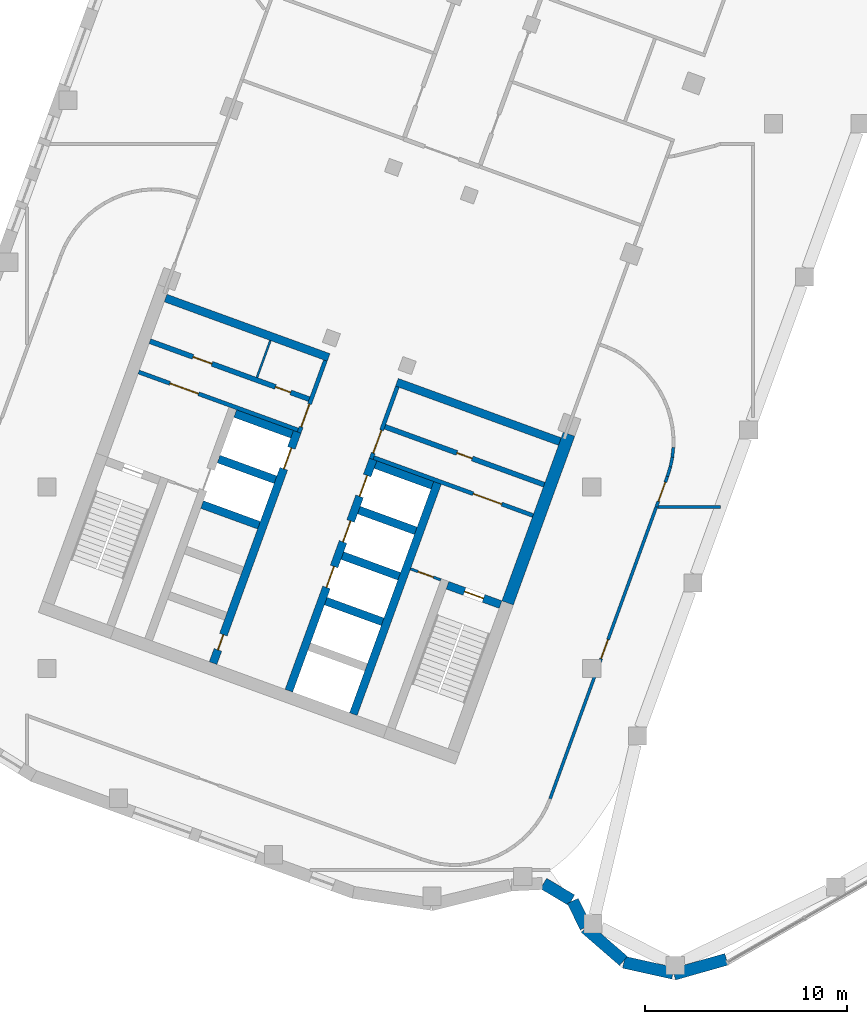
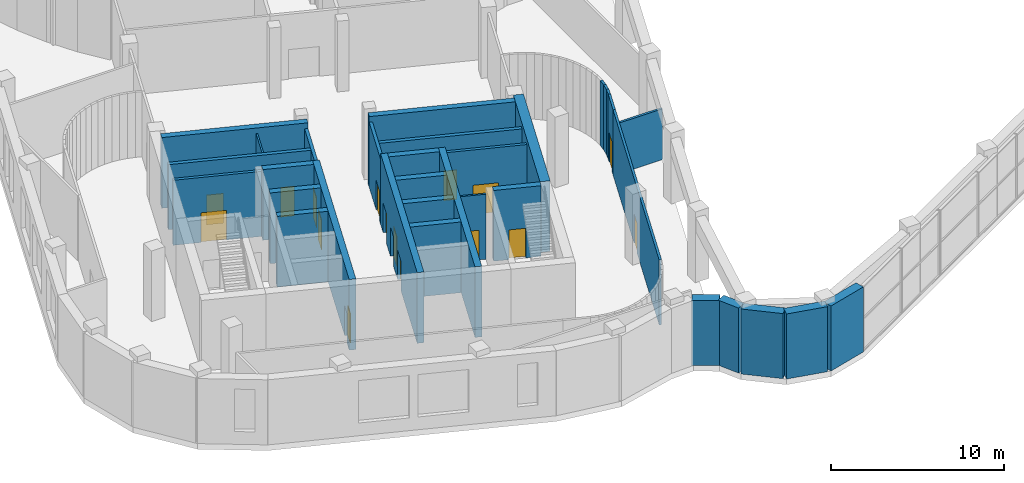
# One storey, part 11 of 25: 33 walls, 16 doors, 16 openings.
"""IFC4 building model written with IfcOpenShell, lengths in metres."""

from ifc_helpers import new_model, si_unit, direction, frame, frame_2d, origin, place, context, subcontext, project, spatial, rectangle, extrude, material, layer, layer_set, type_object, element, fill, save


model = new_model("IFC4")

# Units and contexts
model_context = context("Model", 3, precision=1e-05, world=origin(), true_north=direction((0.0, 1.0)))
body_context = subcontext(model_context, "Body", "Model", "MODEL_VIEW")
ifc_project = project(units=[si_unit("LENGTHUNIT", "METRE"), si_unit("AREAUNIT", "SQUARE_METRE"), si_unit("VOLUMEUNIT", "CUBIC_METRE"), si_unit("PLANEANGLEUNIT", "RADIAN"), si_unit("MASSUNIT", "GRAM", prefix="KILO")], contexts=[model_context])

# Site, building, storey
site_placement = place(None, origin())
site = spatial("IfcSite", under=ifc_project, at=site_placement, CompositionType="ELEMENT")
building_placement = place(site_placement, origin())
building = spatial("IfcBuilding", under=site, at=building_placement, Name="Skarvind Civic Tower", CompositionType="ELEMENT")
storey_placement = place(building_placement, frame((0.0, 0.0, 7.5)))
storey = spatial("IfcBuildingStorey", under=building, at=storey_placement, Name="L01", CompositionType="ELEMENT", Elevation=7.5)

# Wall, opening, door
ifc_material_1 = material(Name="Fire-rated masonry partition", Category="masonry")
ifc_layer_1 = layer(ifc_material_1, 0.199951171875)
ifc_layer_set_1 = layer_set([ifc_layer_1], Name="Core enclosure wall 200")
wall_type_1 = type_object("IfcWallType", Name="Core enclosure wall 200", PredefinedType="PARTITIONING", material=ifc_layer_set_1)
wall_1_placement = place(storey_placement, frame((31.491455078125, 93.693359375, 0.0), z_axis=(0.0, 0.0, 1.0), x_axis=(0.341995824804, 0.939701471648, 0.0)))
wall_1 = element("IfcWall", 1, at=wall_1_placement, inside=storey, type_object=wall_type_1, Name="Core wall C2", PredefinedType="PARTITIONING", context=body_context, shape_type="SweptSolid", body=[
    extrude(rectangle(XDim=3.800048828125, YDim=0.199951171875, at=frame_2d((1.89990234375, 0.0))), origin(), (0.0, 0.0, 1.0), 4.60009765625),
])
opening_1_placement = place(wall_1_placement, frame((0.300048828125, 0.0, 0.0)))
opening_1 = element("IfcOpeningElement", 2, at=opening_1_placement, cuts=wall_1, Name="Opening D-L01-C2-06", PredefinedType="OPENING", context=body_context, shape_type="SweptSolid", body=[
    extrude(rectangle(XDim=1.199951171875, YDim=2.10009765625, at=frame_2d((0.60009765625, 1.050048828125))), frame((0.0, 0.10986328125, 0.0), z_axis=(0.0, -1.0, 0.0), x_axis=(1.0, 0.0, 0.0)), (0.0, 0.0, 1.0), 0.219970703125),
])
ifc_material_2 = material(Name="Fire-rated steel door", Category="steel")
door_type_1 = type_object("IfcDoorType", Name="Core lobby door 1200", OperationType="NOTDEFINED", PredefinedType="DOOR", material=ifc_material_2)
door_1_placement = place(opening_1_placement, origin())
door_1 = element("IfcDoor", 3, at=door_1_placement, inside=storey, type_object=door_type_1, Name="Fire door", OperationType="DOUBLE_DOOR_SINGLE_SWING", OverallHeight=2.10009765625, OverallWidth=1.199951171875, PredefinedType="DOOR", context=body_context, shape_type="SweptSolid", body=[
    extrude(rectangle(XDim=1.199951171875, YDim=2.10009765625, at=frame_2d((0.60009765625, 1.050048828125))), frame((0.0, 0.02490234375, 0.0), z_axis=(0.0, -1.0, 0.0), x_axis=(1.0, 0.0, 0.0)), (0.0, 0.0, 1.0), 0.050048828125),
])
fill(opening_1, door_1)

wall_2_placement = place(storey_placement, frame((23.5380859375, 96.6943359375, 0.0), z_axis=(0.0, 0.0, 1.0), x_axis=(0.939691552312, -0.342023078919, 0.0)))
wall_2 = element("IfcWall", 4, at=wall_2_placement, inside=storey, type_object=wall_type_1, Name="Core wall C2", PredefinedType="PARTITIONING", context=body_context, shape_type="SweptSolid", body=[
    extrude(rectangle(XDim=8.400146484375, YDim=0.199951171875, at=frame_2d((4.2001953125, 0.0))), origin(), (0.0, 0.0, 1.0), 4.60009765625),
])
opening_2_placement = place(wall_2_placement, frame((1.64990234375, 0.0, 0.0)))
opening_2 = element("IfcOpeningElement", 5, at=opening_2_placement, cuts=wall_2, Name="Opening D-L01-C2-07", PredefinedType="OPENING", context=body_context, shape_type="SweptSolid", body=[
    extrude(rectangle(XDim=1.5, YDim=2.10009765625, at=frame_2d((0.75, 1.050048828125))), frame((0.0, 0.10986328125, 0.0), z_axis=(0.0, -1.0, 0.0), x_axis=(1.0, 0.0, 0.0)), (0.0, 0.0, 1.0), 0.219970703125),
])
door_type_2 = type_object("IfcDoorType", Name="Fire door 1500", OperationType="NOTDEFINED", PredefinedType="DOOR", material=ifc_material_2)
door_2_placement = place(opening_2_placement, origin())
door_2 = element("IfcDoor", 6, at=door_2_placement, inside=storey, type_object=door_type_2, Name="Fire door", OperationType="DOUBLE_DOOR_SINGLE_SWING", OverallHeight=2.10009765625, OverallWidth=1.5, PredefinedType="DOOR", context=body_context, shape_type="SweptSolid", body=[
    extrude(rectangle(XDim=1.5, YDim=2.10009765625, at=frame_2d((0.75, 1.050048828125))), frame((0.0, 0.02490234375, 0.0), z_axis=(0.0, -1.0, 0.0), x_axis=(1.0, 0.0, 0.0)), (0.0, 0.0, 1.0), 0.050048828125),
])
fill(opening_2, door_2)

wall_3_placement = place(storey_placement, frame((36.36181640625, 95.96435546875, 0.0), z_axis=(0.0, 0.0, 1.0), x_axis=(-0.341995824804, -0.939701471648, 0.0)))
wall_3 = element("IfcWall", 7, at=wall_3_placement, inside=storey, type_object=wall_type_1, Name="Core wall C2", PredefinedType="PARTITIONING", context=body_context, shape_type="SweptSolid", body=[
    extrude(rectangle(XDim=3.800048828125, YDim=0.199951171875, at=frame_2d((1.89990234375, 0.0))), origin(), (0.0, 0.0, 1.0), 4.60009765625),
])
opening_3_placement = place(wall_3_placement, frame((2.300048828125, 0.0, 0.0)))
opening_3 = element("IfcOpeningElement", 8, at=opening_3_placement, cuts=wall_3, Name="Opening D-L01-C2-12", PredefinedType="OPENING", context=body_context, shape_type="SweptSolid", body=[
    extrude(rectangle(XDim=1.199951171875, YDim=2.10009765625, at=frame_2d((0.60009765625, 1.050048828125))), frame((0.0, 0.10986328125, 0.0), z_axis=(0.0, -1.0, 0.0), x_axis=(1.0, 0.0, 0.0)), (0.0, 0.0, 1.0), 0.219970703125),
])
door_3_placement = place(opening_3_placement, origin())
door_3 = element("IfcDoor", 9, at=door_3_placement, inside=storey, type_object=door_type_1, Name="Fire door", OperationType="DOUBLE_DOOR_SINGLE_SWING", OverallHeight=2.10009765625, OverallWidth=1.199951171875, PredefinedType="DOOR", context=body_context, shape_type="SweptSolid", body=[
    extrude(rectangle(XDim=1.199951171875, YDim=2.10009765625, at=frame_2d((0.60009765625, 1.050048828125))), frame((0.0, 0.02490234375, 0.0), z_axis=(0.0, -1.0, 0.0), x_axis=(1.0, 0.0, 0.0)), (0.0, 0.0, 1.0), 0.050048828125),
])
fill(opening_3, door_3)

wall_4_placement = place(storey_placement, frame((35.1904296875, 92.453369140625, 0.0), z_axis=(0.0, 0.0, 1.0), x_axis=(0.939691552312, -0.342023078919, 0.0)))
wall_4 = element("IfcWall", 10, at=wall_4_placement, inside=storey, type_object=wall_type_1, Name="Core wall C2", PredefinedType="PARTITIONING", context=body_context, shape_type="SweptSolid", body=[
    extrude(rectangle(XDim=8.400146484375, YDim=0.199951171875, at=frame_2d((4.2001953125, 0.0))), origin(), (0.0, 0.0, 1.0), 4.60009765625),
])
opening_4_placement = place(wall_4_placement, frame((5.25, 0.0, 0.0)))
opening_4 = element("IfcOpeningElement", 11, at=opening_4_placement, cuts=wall_4, Name="Opening D-L01-C2-13", PredefinedType="OPENING", context=body_context, shape_type="SweptSolid", body=[
    extrude(rectangle(XDim=1.5, YDim=2.10009765625, at=frame_2d((0.75, 1.050048828125))), frame((0.0, 0.10986328125, 0.0), z_axis=(0.0, -1.0, 0.0), x_axis=(1.0, 0.0, 0.0)), (0.0, 0.0, 1.0), 0.219970703125),
])
door_4_placement = place(opening_4_placement, origin())
door_4 = element("IfcDoor", 12, at=door_4_placement, inside=storey, type_object=door_type_2, Name="Fire door", OperationType="DOUBLE_DOOR_SINGLE_SWING", OverallHeight=2.10009765625, OverallWidth=1.5, PredefinedType="DOOR", context=body_context, shape_type="SweptSolid", body=[
    extrude(rectangle(XDim=1.5, YDim=2.10009765625, at=frame_2d((0.75, 1.050048828125))), frame((0.0, 0.02490234375, 0.0), z_axis=(0.0, -1.0, 0.0), x_axis=(1.0, 0.0, 0.0)), (0.0, 0.0, 1.0), 0.050048828125),
])
fill(opening_4, door_4)

# Wall
ifc_material_3 = material(Name="Fire-rated plasterboard partition")
ifc_layer_2 = layer(ifc_material_3, 0.10009765625)
ifc_layer_set_2 = layer_set([ifc_layer_2], Name="Core partition wall 100")
wall_type_2 = type_object("IfcWallType", Name="Core partition wall 100", PredefinedType="PARTITIONING", material=ifc_layer_set_2)
wall_5_placement = place(storey_placement, frame((29.399169921875, 96.423583984375, 0.0), z_axis=(0.0, 0.0, 1.0), x_axis=(0.341913947243, 0.939731266204, 0.0)))
element("IfcWall", 13, at=wall_5_placement, inside=storey, type_object=wall_type_2, Name="Core wall C2", PredefinedType="PARTITIONING", context=body_context, shape_type="SweptSolid", body=[
    extrude(rectangle(XDim=1.949951171875, YDim=0.10009765625, at=frame_2d((0.97509765625, 0.0))), origin(), (0.0, 0.0, 1.0), 4.60009765625),
])

# Wall, opening, door
ifc_material_4 = material(Name="Concrete C80", Category="concrete")
ifc_layer_3 = layer(ifc_material_4, 0.39990234375)
ifc_layer_set_3 = layer_set([ifc_layer_3], Name="Core wall 400 C80")
wall_type_3 = type_object("IfcWallType", Name="Core wall 400 C80", PredefinedType="SHEAR", material=ifc_layer_set_3)
wall_6_placement = place(storey_placement, frame((41.476318359375, 85.163818359375, 0.0), z_axis=(0.0, 0.0, 1.0), x_axis=(-0.939678810556, 0.342058084236, 0.0)))
wall_6 = element("IfcWall", 14, at=wall_6_placement, inside=storey, type_object=wall_type_3, Name="Core wall C2 south stair end L01", PredefinedType="SHEAR", context=body_context, shape_type="SweptSolid", body=[
    extrude(rectangle(XDim=2.800048828125, YDim=0.39990234375, at=frame_2d((1.39990234375, 0.0))), origin(), (0.0, 0.0, 1.0), 5.0),
])
opening_5_placement = place(wall_6_placement, frame((0.89990234375, 0.0, 0.0)))
opening_5 = element("IfcOpeningElement", 15, at=opening_5_placement, cuts=wall_6, Name="Opening D-L01-C2-14", PredefinedType="OPENING", context=body_context, shape_type="SweptSolid", body=[
    extrude(rectangle(XDim=1.0, YDim=2.10009765625, at=frame_2d((0.5, 1.050048828125))), frame((0.0, 0.2099609375, 0.0), z_axis=(0.0, -1.0, 0.0), x_axis=(1.0, 0.0, 0.0)), (0.0, 0.0, 1.0), 0.419921875),
])
door_type_3 = type_object("IfcDoorType", Name="Fire door 1000", OperationType="NOTDEFINED", PredefinedType="DOOR", material=ifc_material_2)
door_5_placement = place(opening_5_placement, origin())
door_5 = element("IfcDoor", 16, at=door_5_placement, inside=storey, type_object=door_type_3, Name="Fire door", OperationType="SINGLE_SWING_RIGHT", OverallHeight=2.10009765625, OverallWidth=1.0, PredefinedType="DOOR", context=body_context, shape_type="SweptSolid", body=[
    extrude(rectangle(XDim=1.0, YDim=2.10009765625, at=frame_2d((0.5, 1.050048828125))), frame((0.0, 0.02490234375, 0.0), z_axis=(0.0, -1.0, 0.0), x_axis=(1.0, 0.0, 0.0)), (0.0, 0.0, 1.0), 0.050048828125),
])
fill(opening_5, door_5)

# Wall, openings, doors
wall_7_placement = place(storey_placement, frame((30.983642578125, 80.895263671875, 0.0), z_axis=(0.0, 0.0, 1.0), x_axis=(0.342021021735, 0.939692301071, 0.0)))
wall_7 = element("IfcWall", 17, at=wall_7_placement, inside=storey, type_object=wall_type_3, Name="Core wall C2 south lift row front L01", PredefinedType="SHEAR", context=body_context, shape_type="SweptSolid", body=[
    extrude(rectangle(XDim=12.199951171875, YDim=0.39990234375, at=frame_2d((6.10009765625, 0.0))), origin(), (0.0, 0.0, 1.0), 5.0),
])
opening_6_placement = place(wall_7_placement, frame((5.449951171875, 0.0, 0.0)))
opening_6 = element("IfcOpeningElement", 18, at=opening_6_placement, cuts=wall_7, Name="Opening LD03208", PredefinedType="OPENING", context=body_context, shape_type="SweptSolid", body=[
    extrude(rectangle(XDim=1.10009765625, YDim=2.10009765625, at=frame_2d((0.550048828125, 1.050048828125))), frame((0.0, 0.2099609375, 0.0), z_axis=(0.0, -1.0, 0.0), x_axis=(1.0, 0.0, 0.0)), (0.0, 0.0, 1.0), 0.419921875),
])
opening_7_placement = place(wall_7_placement, frame((7.85009765625, 0.0, 0.0)))
opening_7 = element("IfcOpeningElement", 19, at=opening_7_placement, cuts=wall_7, Name="Opening LD03209", PredefinedType="OPENING", context=body_context, shape_type="SweptSolid", body=[
    extrude(rectangle(XDim=1.10009765625, YDim=2.10009765625, at=frame_2d((0.550048828125, 1.050048828125))), frame((0.0, 0.2099609375, 0.0), z_axis=(0.0, -1.0, 0.0), x_axis=(1.0, 0.0, 0.0)), (0.0, 0.0, 1.0), 0.419921875),
])
opening_8_placement = place(wall_7_placement, frame((10.25, 0.0, 0.0)))
opening_8 = element("IfcOpeningElement", 20, at=opening_8_placement, cuts=wall_7, Name="Opening LD03210", PredefinedType="OPENING", context=body_context, shape_type="SweptSolid", body=[
    extrude(rectangle(XDim=1.10009765625, YDim=2.10009765625, at=frame_2d((0.550048828125, 1.050048828125))), frame((0.0, 0.2099609375, 0.0), z_axis=(0.0, -1.0, 0.0), x_axis=(1.0, 0.0, 0.0)), (0.0, 0.0, 1.0), 0.419921875),
])
ifc_material_5 = material(Name="Stainless steel landing door", Category="steel")
door_type_4 = type_object("IfcDoorType", Name="Lift landing door 1100", OperationType="DOUBLE_DOOR_SLIDING", PredefinedType="DOOR", material=ifc_material_5)
door_6_placement = place(opening_6_placement, origin())
door_6 = element("IfcDoor", 21, at=door_6_placement, inside=storey, type_object=door_type_4, Name="Lift landing door", OperationType="DOUBLE_DOOR_SLIDING", OverallHeight=2.10009765625, OverallWidth=1.10009765625, PredefinedType="DOOR", context=body_context, shape_type="SweptSolid", body=[
    extrude(rectangle(XDim=1.10009765625, YDim=2.10009765625, at=frame_2d((0.550048828125, 1.050048828125))), frame((0.0, 0.02490234375, 0.0), z_axis=(0.0, -1.0, 0.0), x_axis=(1.0, 0.0, 0.0)), (0.0, 0.0, 1.0), 0.050048828125),
])
fill(opening_6, door_6)
door_7_placement = place(opening_7_placement, origin())
door_7 = element("IfcDoor", 22, at=door_7_placement, inside=storey, type_object=door_type_4, Name="Lift landing door", OperationType="DOUBLE_DOOR_SLIDING", OverallHeight=2.10009765625, OverallWidth=1.10009765625, PredefinedType="DOOR", context=body_context, shape_type="SweptSolid", body=[
    extrude(rectangle(XDim=1.10009765625, YDim=2.10009765625, at=frame_2d((0.550048828125, 1.050048828125))), frame((0.0, 0.02490234375, 0.0), z_axis=(0.0, -1.0, 0.0), x_axis=(1.0, 0.0, 0.0)), (0.0, 0.0, 1.0), 0.050048828125),
])
fill(opening_7, door_7)
door_8_placement = place(opening_8_placement, origin())
door_8 = element("IfcDoor", 23, at=door_8_placement, inside=storey, type_object=door_type_4, Name="Lift landing door", OperationType="DOUBLE_DOOR_SLIDING", OverallHeight=2.10009765625, OverallWidth=1.10009765625, PredefinedType="DOOR", context=body_context, shape_type="SweptSolid", body=[
    extrude(rectangle(XDim=1.10009765625, YDim=2.10009765625, at=frame_2d((0.550048828125, 1.050048828125))), frame((0.0, 0.02490234375, 0.0), z_axis=(0.0, -1.0, 0.0), x_axis=(1.0, 0.0, 0.0)), (0.0, 0.0, 1.0), 0.050048828125),
])
fill(opening_8, door_8)

# Walls
wall_8_placement = place(storey_placement, frame((34.178466796875, 79.732177734375, 0.0), z_axis=(0.0, 0.0, 1.0), x_axis=(0.342014590177, 0.939694641948, 0.0)))
element("IfcWall", 24, at=wall_8_placement, inside=storey, type_object=wall_type_3, Name="Core wall C2 south lift row back L01", PredefinedType="SHEAR", context=body_context, shape_type="SweptSolid", body=[
    extrude(rectangle(XDim=12.2001953125, YDim=0.39990234375, at=frame_2d((6.10009765625, 0.0))), origin(), (0.0, 0.0, 1.0), 5.0),
])
for number, where, z_axis, x_axis, name in (
    (25, (35.63232421875, 84.311279296875, 0.0), (0.0, 0.0, 1.0), (-0.939712609717, 0.341965219194, 0.0), "Core wall C2 south lift row division 2 L01"),
    (26, (36.453125, 86.56640625, 0.0), (0.0, 0.0, 1.0), (-0.939686455819, 0.342037080957, 0.0), "Core wall C2 south lift row division 3 L01"),
    (27, (37.27392578125, 88.82177734375, 0.0), (0.0, 0.0, 1.0), (-0.939686455819, 0.342037080957, 0.0), "Core wall C2 south lift row division 4 L01"),
):
    element("IfcWall", number, at=place(storey_placement, frame(where, z_axis=z_axis, x_axis=x_axis)), inside=storey, type_object=wall_type_3, Name=name, PredefinedType="SHEAR", context=body_context, shape_type="SweptSolid", body=[
        extrude(rectangle(XDim=3.0, YDim=0.39990234375, at=frame_2d((1.5, 0.0))), origin(), (0.0, 0.0, 1.0), 5.0),
    ])
wall_9_placement = place(storey_placement, frame((38.0947265625, 91.076904296875, 0.0), z_axis=(0.0, 0.0, 1.0), x_axis=(-0.939676934218, 0.342063238742, 0.0)))
element("IfcWall", 28, at=wall_9_placement, inside=storey, type_object=wall_type_3, Name="Core wall C2 south lift row division 5 L01", PredefinedType="SHEAR", context=body_context, shape_type="SweptSolid", body=[
    extrude(rectangle(XDim=2.999755859375, YDim=0.39990234375, at=frame_2d((1.5, 0.0))), origin(), (0.0, 0.0, 1.0), 5.0),
])

# Wall, openings, doors
wall_10_placement = place(storey_placement, frame((27.224853515625, 82.26318359375, 0.0), z_axis=(0.0, 0.0, 1.0), x_axis=(0.342014590177, 0.939694641948, 0.0)))
wall_10 = element("IfcWall", 29, at=wall_10_placement, inside=storey, type_object=wall_type_3, Name="Core wall C2 north lift row front L01", PredefinedType="SHEAR", context=body_context, shape_type="SweptSolid", body=[
    extrude(rectangle(XDim=12.2001953125, YDim=0.39990234375, at=frame_2d((6.10009765625, 0.0))), origin(), (0.0, 0.0, 1.0), 5.0),
])
opening_9_placement = place(wall_10_placement, frame((10.25, 0.0, 0.0)))
opening_9 = element("IfcOpeningElement", 30, at=opening_9_placement, cuts=wall_10, Name="Opening LD03205", PredefinedType="OPENING", context=body_context, shape_type="SweptSolid", body=[
    extrude(rectangle(XDim=1.10009765625, YDim=2.10009765625, at=frame_2d((0.550048828125, 1.050048828125))), frame((0.0, 0.2099609375, 0.0), z_axis=(0.0, -1.0, 0.0), x_axis=(1.0, 0.0, 0.0)), (0.0, 0.0, 1.0), 0.419921875),
])
opening_10_placement = place(wall_10_placement, frame((0.699951171875, 0.0, 0.0)))
opening_10 = element("IfcOpeningElement", 31, at=opening_10_placement, cuts=wall_10, Name="Opening D-L01-C2-05", PredefinedType="OPENING", context=body_context, shape_type="SweptSolid", body=[
    extrude(rectangle(XDim=0.800048828125, YDim=2.10009765625, at=frame_2d((0.39990234375, 1.050048828125))), frame((0.0, 0.2099609375, 0.0), z_axis=(0.0, -1.0, 0.0), x_axis=(1.0, 0.0, 0.0)), (0.0, 0.0, 1.0), 0.419921875),
])
door_type_5 = type_object("IfcDoorType", Name="Core riser door 800", OperationType="NOTDEFINED", PredefinedType="DOOR", material=ifc_material_2)
door_9_placement = place(opening_10_placement, origin())
door_9 = element("IfcDoor", 32, at=door_9_placement, inside=storey, type_object=door_type_5, Name="Riser door", OperationType="SINGLE_SWING_LEFT", OverallHeight=2.10009765625, OverallWidth=0.800048828125, PredefinedType="DOOR", context=body_context, shape_type="SweptSolid", body=[
    extrude(rectangle(XDim=0.800048828125, YDim=2.10009765625, at=frame_2d((0.39990234375, 1.050048828125))), frame((0.0, 0.02490234375, 0.0), z_axis=(0.0, -1.0, 0.0), x_axis=(1.0, 0.0, 0.0)), (0.0, 0.0, 1.0), 0.050048828125),
])
fill(opening_10, door_9)
door_10_placement = place(opening_9_placement, origin())
door_10 = element("IfcDoor", 33, at=door_10_placement, inside=storey, type_object=door_type_4, Name="Lift landing door", OperationType="DOUBLE_DOOR_SLIDING", OverallHeight=2.10009765625, OverallWidth=1.10009765625, PredefinedType="DOOR", context=body_context, shape_type="SweptSolid", body=[
    extrude(rectangle(XDim=1.10009765625, YDim=2.10009765625, at=frame_2d((0.550048828125, 1.050048828125))), frame((0.0, 0.02490234375, 0.0), z_axis=(0.0, -1.0, 0.0), x_axis=(1.0, 0.0, 0.0)), (0.0, 0.0, 1.0), 0.050048828125),
])
fill(opening_9, door_10)

# Walls
for number, where, z_axis, x_axis, name in (
    (34, (29.49951171875, 89.097412109375, 0.0), (0.0, 0.0, 1.0), (-0.939686455819, 0.342037080957, 0.0), "Core wall C2 north lift row division 3 L01"),
    (35, (30.3203125, 91.352783203125, 0.0), (0.0, 0.0, 1.0), (-0.939712609717, 0.341965219194, 0.0), "Core wall C2 north lift row division 4 L01"),
    (36, (31.14111328125, 93.60791015625, 0.0), (0.0, 0.0, 1.0), (-0.939686455819, 0.342037080957, 0.0), "Core wall C2 north lift row division 5 L01"),
):
    element("IfcWall", number, at=place(storey_placement, frame(where, z_axis=z_axis, x_axis=x_axis)), inside=storey, type_object=wall_type_3, Name=name, PredefinedType="SHEAR", context=body_context, shape_type="SweptSolid", body=[
        extrude(rectangle(XDim=3.0, YDim=0.39990234375, at=frame_2d((1.5, 0.0))), origin(), (0.0, 0.0, 1.0), 5.0),
    ])
for number, where, z_axis, x_axis, name in (
    (37, (44.417724609375, 93.2451171875, 0.0), (0.0, 0.0, 1.0), (-0.93969060187, 0.342025690201, 0.0), "Core wall C2 south inner face L01"),
    (38, (32.953369140625, 97.417724609375, 0.0), (0.0, 0.0, 1.0), (-0.93969060187, 0.342025690201, 0.0), "Core wall C2 north inner face L01"),
):
    element("IfcWall", number, at=place(storey_placement, frame(where, z_axis=z_axis, x_axis=x_axis)), inside=storey, type_object=wall_type_3, Name=name, PredefinedType="SHEAR", context=body_context, shape_type="SweptSolid", body=[
        extrude(rectangle(XDim=8.599853515625, YDim=0.39990234375, at=frame_2d((4.2998046875, 0.0))), origin(), (0.0, 0.0, 1.0), 5.0),
    ])
ifc_layer_4 = layer(ifc_material_4, 0.60009765625)
ifc_layer_set_4 = layer_set([ifc_layer_4], Name="Core wall 600 C80")
wall_type_4 = type_object("IfcWallType", Name="Core wall 600 C80", PredefinedType="SHEAR", material=ifc_layer_set_4)
wall_11_placement = place(storey_placement, frame((41.82666015625, 85.249267578125, 0.0), z_axis=(0.0, 0.0, 1.0), x_axis=(0.342016162452, 0.939694069696, 0.0)))
element("IfcWall", 39, at=wall_11_placement, inside=storey, type_object=wall_type_4, Name="Core wall C2 south side L01", PredefinedType="SHEAR", context=body_context, shape_type="SweptSolid", body=[
    extrude(rectangle(XDim=8.89990234375, YDim=0.60009765625, at=frame_2d((4.449951171875, 0.0))), origin(), (0.0, 0.0, 1.0), 5.0),
])

# Wall, opening, door
ifc_material_6 = material(Name="Plasterboard partition on steel studs", Category="steel")
ifc_layer_5 = layer(ifc_material_6, 0.14990234375)
ifc_layer_set_5 = layer_set([ifc_layer_5], Name="PARTITION 150")
wall_type_5 = type_object("IfcWallType", Name="PARTITION 150", PredefinedType="PARTITIONING", material=ifc_layer_set_5)
wall_12_placement = place(storey_placement, frame((49.196044921875, 90.0, 0.0), z_axis=(0.0, 0.0, 1.0), x_axis=(-0.342037332118, -0.939686364399, 0.0)))
wall_12 = element("IfcWall", 40, at=wall_12_placement, inside=storey, type_object=wall_type_5, Name="Podium partition L01 067", PredefinedType="PARTITIONING", context=body_context, shape_type="SweptSolid", body=[
    extrude(rectangle(XDim=15.386962890625, YDim=0.14990234375, at=frame_2d((7.693359375, 0.0))), origin(), (0.0, 0.0, 1.0), 4.60009765625),
])
opening_11_placement = place(wall_12_placement, frame((6.989990234375, 0.0, 0.0)))
opening_11 = element("IfcOpeningElement", 41, at=opening_11_placement, cuts=wall_12, Name="Opening L01-D212", PredefinedType="OPENING", context=body_context, shape_type="SweptSolid", body=[
    extrude(rectangle(XDim=1.0, YDim=2.10009765625, at=frame_2d((0.5, 1.050048828125))), frame((0.0, 0.0849609375, 0.0), z_axis=(0.0, -1.0, 0.0), x_axis=(1.0, 0.0, 0.0)), (0.0, 0.0, 1.0), 0.169921875),
])
ifc_material_7 = material(Name="Timber veneer door leaf", Category="wood")
door_type_6 = type_object("IfcDoorType", Name="DOOR 1000X2100 TIMBER", OperationType="NOTDEFINED", PredefinedType="DOOR", material=ifc_material_7)
door_11_placement = place(opening_11_placement, origin())
door_11 = element("IfcDoor", 42, at=door_11_placement, inside=storey, type_object=door_type_6, Name="DOOR DOOR", OperationType="SINGLE_SWING_LEFT", OverallHeight=2.10009765625, OverallWidth=1.0, PredefinedType="DOOR", context=body_context, shape_type="SweptSolid", body=[
    extrude(rectangle(XDim=1.0, YDim=2.10009765625, at=frame_2d((0.5, 1.050048828125))), frame((0.0, 0.02490234375, 0.0), z_axis=(0.0, -1.0, 0.0), x_axis=(1.0, 0.0, 0.0)), (0.0, 0.0, 1.0), 0.050048828125),
])
fill(opening_11, door_11)

wall_13_placement = place(storey_placement, frame((49.7490234375, 91.52001953125, 0.0), z_axis=(0.0, 0.0, 1.0), x_axis=(-0.341876370555, -0.93974493734, 0.0)))
wall_13 = element("IfcWall", 43, at=wall_13_placement, inside=storey, type_object=wall_type_5, Name="Podium partition L01 081", PredefinedType="PARTITIONING", context=body_context, shape_type="SweptSolid", body=[
    extrude(rectangle(XDim=1.617431640625, YDim=0.14990234375, at=frame_2d((0.80859375, 0.0))), origin(), (0.0, 0.0, 1.0), 4.60009765625),
])
opening_12_placement = place(wall_13_placement, frame((0.31103515625, 0.0, 0.0)))
opening_12 = element("IfcOpeningElement", 44, at=opening_12_placement, cuts=wall_13, Name="Opening L01-D213", PredefinedType="OPENING", context=body_context, shape_type="SweptSolid", body=[
    extrude(rectangle(XDim=1.0, YDim=2.10009765625, at=frame_2d((0.5, 1.050048828125))), frame((0.0, 0.0849609375, 0.0), z_axis=(0.0, -1.0, 0.0), x_axis=(1.0, 0.0, 0.0)), (0.0, 0.0, 1.0), 0.169921875),
])
door_12_placement = place(opening_12_placement, origin())
door_12 = element("IfcDoor", 45, at=door_12_placement, inside=storey, type_object=door_type_6, Name="DOOR DOOR", OperationType="SINGLE_SWING_LEFT", OverallHeight=2.10009765625, OverallWidth=1.0, PredefinedType="DOOR", context=body_context, shape_type="SweptSolid", body=[
    extrude(rectangle(XDim=1.0, YDim=2.10009765625, at=frame_2d((0.5, 1.050048828125))), frame((0.0, 0.02490234375, 0.0), z_axis=(0.0, -1.0, 0.0), x_axis=(1.0, 0.0, 0.0)), (0.0, 0.0, 1.0), 0.050048828125),
])
fill(opening_12, door_12)

# Walls
wall_14_placement = place(storey_placement, frame((49.27587890625, 90.0, 0.0), z_axis=(0.0, 0.0, 1.0), x_axis=(1.0, 0.0, 0.0)))
element("IfcWall", 46, at=wall_14_placement, inside=storey, type_object=wall_type_5, Name="Podium partition L01 082", PredefinedType="PARTITIONING", context=body_context, shape_type="SweptSolid", body=[
    extrude(rectangle(XDim=3.112060546875, YDim=0.14990234375, at=frame_2d((1.55615234375, 0.0))), origin(), (0.0, 0.0, 1.0), 3.60009765625),
])
wall_15_placement = place(storey_placement, frame((49.7470703125, 91.51611328125, 0.0), z_axis=(0.0, 0.0, 1.0), x_axis=(0.296228958727, 0.955116958289, 0.0)))
element("IfcWall", 47, at=wall_15_placement, inside=storey, type_object=wall_type_5, Name="Podium partition L01 087", PredefinedType="PARTITIONING", context=body_context, shape_type="SweptSolid", body=[
    extrude(rectangle(XDim=0.49609375, YDim=0.14990234375, at=frame_2d((0.248046875, 0.0))), origin(), (0.0, 0.0, 1.0), 4.60009765625),
])
wall_16_placement = place(storey_placement, frame((49.89208984375, 91.98291015625, 0.0), z_axis=(0.0, 0.0, 1.0), x_axis=(0.202330199798, 0.979317359312, 0.0)))
element("IfcWall", 48, at=wall_16_placement, inside=storey, type_object=wall_type_5, Name="Podium partition L01 096", PredefinedType="PARTITIONING", context=body_context, shape_type="SweptSolid", body=[
    extrude(rectangle(XDim=0.498291015625, YDim=0.14990234375, at=frame_2d((0.2490234375, 0.0))), origin(), (0.0, 0.0, 1.0), 4.60009765625),
])
wall_17_placement = place(storey_placement, frame((49.991943359375, 92.462890625, 0.0), z_axis=(0.0, 0.0, 1.0), x_axis=(0.102314560958, 0.994752095055, 0.0)))
element("IfcWall", 49, at=wall_17_placement, inside=storey, type_object=wall_type_5, Name="Podium partition L01 098", PredefinedType="PARTITIONING", context=body_context, shape_type="SweptSolid", body=[
    extrude(rectangle(XDim=0.498779296875, YDim=0.14990234375, at=frame_2d((0.24951171875, 0.0))), origin(), (0.0, 0.0, 1.0), 4.60009765625),
])

# Wall, opening, door
ifc_layer_6 = layer(ifc_material_1, 0.125)
ifc_layer_set_6 = layer_set([ifc_layer_6], Name="Riser wall 125")
wall_type_6 = type_object("IfcWallType", Name="Riser wall 125", PredefinedType="PARTITIONING", material=ifc_layer_set_6)
wall_18_placement = place(storey_placement, frame((37.012939453125, 86.934814453125, 0.0), z_axis=(0.0, 0.0, 1.0), x_axis=(0.939659694648, -0.342110593602, 0.0)))
wall_18 = element("IfcWall", 50, at=wall_18_placement, inside=storey, type_object=wall_type_6, Name="Core wall C2", PredefinedType="PARTITIONING", context=body_context, shape_type="SweptSolid", body=[
    extrude(rectangle(XDim=1.599853515625, YDim=0.125, at=frame_2d((0.7998046875, 0.0))), origin(), (0.0, 0.0, 1.0), 4.60009765625),
])
opening_13_placement = place(wall_18_placement, frame((0.39990234375, 0.0, 0.0)))
opening_13 = element("IfcOpeningElement", 51, at=opening_13_placement, cuts=wall_18, Name="Opening D-L01-C2-15", PredefinedType="OPENING", context=body_context, shape_type="SweptSolid", body=[
    extrude(rectangle(XDim=0.800048828125, YDim=2.10009765625, at=frame_2d((0.39990234375, 1.050048828125))), frame((0.0, 0.072509765625, 0.0), z_axis=(0.0, -1.0, 0.0), x_axis=(1.0, 0.0, 0.0)), (0.0, 0.0, 1.0), 0.14501953125),
])
door_13_placement = place(opening_13_placement, origin())
door_13 = element("IfcDoor", 52, at=door_13_placement, inside=storey, type_object=door_type_5, Name="Riser door", OperationType="SINGLE_SWING_LEFT", OverallHeight=2.10009765625, OverallWidth=0.800048828125, PredefinedType="DOOR", context=body_context, shape_type="SweptSolid", body=[
    extrude(rectangle(XDim=0.800048828125, YDim=2.10009765625, at=frame_2d((0.39990234375, 1.050048828125))), frame((0.0, 0.02490234375, 0.0), z_axis=(0.0, -1.0, 0.0), x_axis=(1.0, 0.0, 0.0)), (0.0, 0.0, 1.0), 0.050048828125),
])
fill(opening_13, door_13)

# Wall, openings, doors
ifc_layer_7 = layer(ifc_material_1, 0.25)
ifc_layer_set_7 = layer_set([ifc_layer_7], Name="Service block wall 250")
wall_type_7 = type_object("IfcWallType", Name="Service block wall 250", PredefinedType="PARTITIONING", material=ifc_layer_set_7)
wall_19_placement = place(storey_placement, frame((24.093994140625, 98.221435546875, 0.0), z_axis=(0.0, 0.0, 1.0), x_axis=(0.939691552312, -0.342023078919, 0.0)))
wall_19 = element("IfcWall", 53, at=wall_19_placement, inside=storey, type_object=wall_type_7, Name="Core wall C2", PredefinedType="PARTITIONING", context=body_context, shape_type="SweptSolid", body=[
    extrude(rectangle(XDim=8.400146484375, YDim=0.25, at=frame_2d((4.2001953125, 0.0))), origin(), (0.0, 0.0, 1.0), 4.60009765625),
])
opening_14_placement = place(wall_19_placement, frame((6.625, 0.0, 0.0)))
opening_14 = element("IfcOpeningElement", 54, at=opening_14_placement, cuts=wall_19, Name="Opening D-L01-C2-10", PredefinedType="OPENING", context=body_context, shape_type="SweptSolid", body=[
    extrude(rectangle(XDim=0.800048828125, YDim=2.10009765625, at=frame_2d((0.39990234375, 1.050048828125))), frame((0.0, 0.135009765625, 0.0), z_axis=(0.0, -1.0, 0.0), x_axis=(1.0, 0.0, 0.0)), (0.0, 0.0, 1.0), 0.27001953125),
])
opening_15_placement = place(wall_19_placement, frame((2.27490234375, 0.0, 0.0)))
opening_15 = element("IfcOpeningElement", 55, at=opening_15_placement, cuts=wall_19, Name="Opening D-L01-C2-11", PredefinedType="OPENING", context=body_context, shape_type="SweptSolid", body=[
    extrude(rectangle(XDim=1.0, YDim=2.10009765625, at=frame_2d((0.5, 1.050048828125))), frame((0.0, 0.135009765625, 0.0), z_axis=(0.0, -1.0, 0.0), x_axis=(1.0, 0.0, 0.0)), (0.0, 0.0, 1.0), 0.27001953125),
])
door_14_placement = place(opening_14_placement, origin())
door_14 = element("IfcDoor", 56, at=door_14_placement, inside=storey, type_object=door_type_5, Name="Riser door", OperationType="SINGLE_SWING_LEFT", OverallHeight=2.10009765625, OverallWidth=0.800048828125, PredefinedType="DOOR", context=body_context, shape_type="SweptSolid", body=[
    extrude(rectangle(XDim=0.800048828125, YDim=2.10009765625, at=frame_2d((0.39990234375, 1.050048828125))), frame((0.0, 0.02490234375, 0.0), z_axis=(0.0, -1.0, 0.0), x_axis=(1.0, 0.0, 0.0)), (0.0, 0.0, 1.0), 0.050048828125),
])
fill(opening_14, door_14)
door_15_placement = place(opening_15_placement, origin())
door_15 = element("IfcDoor", 57, at=door_15_placement, inside=storey, type_object=door_type_3, Name="Fire door", OperationType="SINGLE_SWING_RIGHT", OverallHeight=2.10009765625, OverallWidth=1.0, PredefinedType="DOOR", context=body_context, shape_type="SweptSolid", body=[
    extrude(rectangle(XDim=1.0, YDim=2.10009765625, at=frame_2d((0.5, 1.050048828125))), frame((0.0, 0.02490234375, 0.0), z_axis=(0.0, -1.0, 0.0), x_axis=(1.0, 0.0, 0.0)), (0.0, 0.0, 1.0), 0.050048828125),
])
fill(opening_15, door_15)

# Wall, opening, door
wall_20_placement = place(storey_placement, frame((35.74609375, 93.98046875, 0.0), z_axis=(0.0, 0.0, 1.0), x_axis=(0.939691552312, -0.342023078919, 0.0)))
wall_20 = element("IfcWall", 58, at=wall_20_placement, inside=storey, type_object=wall_type_7, Name="Core wall C2", PredefinedType="PARTITIONING", context=body_context, shape_type="SweptSolid", body=[
    extrude(rectangle(XDim=8.400146484375, YDim=0.25, at=frame_2d((4.2001953125, 0.0))), origin(), (0.0, 0.0, 1.0), 4.60009765625),
])
opening_16_placement = place(wall_20_placement, frame((3.800048828125, 0.0, 0.0)))
opening_16 = element("IfcOpeningElement", 59, at=opening_16_placement, cuts=wall_20, Name="Opening D-L01-C2-16", PredefinedType="OPENING", context=body_context, shape_type="SweptSolid", body=[
    extrude(rectangle(XDim=0.800048828125, YDim=2.10009765625, at=frame_2d((0.39990234375, 1.050048828125))), frame((0.0, 0.135009765625, 0.0), z_axis=(0.0, -1.0, 0.0), x_axis=(1.0, 0.0, 0.0)), (0.0, 0.0, 1.0), 0.27001953125),
])
door_16_placement = place(opening_16_placement, origin())
door_16 = element("IfcDoor", 60, at=door_16_placement, inside=storey, type_object=door_type_5, Name="Riser door", OperationType="SINGLE_SWING_RIGHT", OverallHeight=2.10009765625, OverallWidth=0.800048828125, PredefinedType="DOOR", context=body_context, shape_type="SweptSolid", body=[
    extrude(rectangle(XDim=0.800048828125, YDim=2.10009765625, at=frame_2d((0.39990234375, 1.050048828125))), frame((0.0, 0.02490234375, 0.0), z_axis=(0.0, -1.0, 0.0), x_axis=(1.0, 0.0, 0.0)), (0.0, 0.0, 1.0), 0.050048828125),
])
fill(opening_16, door_16)

# Walls
ifc_material_8 = material(Name="Limestone masonry cladding on insulated backing", Category="masonry")
ifc_layer_8 = layer(ifc_material_8, 0.60009765625)
ifc_layer_set_8 = layer_set([ifc_layer_8], Name="WX1 STONE FACADE WALL 600")
wall_type_8 = type_object("IfcWallType", Name="WX1 STONE FACADE WALL 600", PredefinedType="SOLIDWALL", material=ifc_layer_set_8)
wall_21_placement = place(storey_placement, frame((44.998291015625, 70.511474609375, 0.0), z_axis=(0.0, 0.0, 1.0), x_axis=(-0.859405023985, 0.511295418275, 0.0)))
element("IfcWall", 61, at=wall_21_placement, inside=storey, type_object=wall_type_8, Name="STONE FACADE WALL", PredefinedType="SOLIDWALL", context=body_context, shape_type="SweptSolid", body=[
    extrude(rectangle(XDim=1.6171875, YDim=0.60009765625, at=frame_2d((0.80859375, 0.0))), origin(), (0.0, 0.0, 1.0), 4.60009765625),
])
wall_22_placement = place(storey_placement, frame((45.689208984375, 69.1728515625, 0.0), z_axis=(0.0, 0.0, 1.0), x_axis=(-0.435706421579, 0.900088836835, 0.0)))
element("IfcWall", 62, at=wall_22_placement, inside=storey, type_object=wall_type_8, Name="STONE FACADE WALL", PredefinedType="SOLIDWALL", context=body_context, shape_type="SweptSolid", body=[
    extrude(rectangle(XDim=1.447265625, YDim=0.60009765625, at=frame_2d((0.7236328125, 0.0))), origin(), (0.0, 0.0, 1.0), 4.60009765625),
])
for number, where, z_axis, x_axis, name in (
    (63, (47.568603515625, 67.498779296875, 0.0), (0.0, 0.0, 1.0), (-0.755885810724, 0.65470347574, 0.0), "STONE FACADE WALL"),
    (64, (50.026123046875, 66.8916015625, 0.0), (0.0, 0.0, 1.0), (-0.976143335466, 0.217127125495, 0.0), "STONE FACADE WALL"),
):
    element("IfcWall", number, at=place(storey_placement, frame(where, z_axis=z_axis, x_axis=x_axis)), inside=storey, type_object=wall_type_8, Name=name, PredefinedType="SOLIDWALL", context=body_context, shape_type="SweptSolid", body=[
        extrude(rectangle(XDim=2.497314453125, YDim=0.60009765625, at=frame_2d((1.24853515625, 0.0))), origin(), (0.0, 0.0, 1.0), 4.60009765625),
    ])
wall_23_placement = place(storey_placement, frame((52.66943359375, 67.57958984375, 0.0), z_axis=(0.0, 0.0, 1.0), x_axis=(-0.962092295181, -0.272724064859, 0.0)))
element("IfcWall", 65, at=wall_23_placement, inside=storey, type_object=wall_type_8, Name="STONE FACADE WALL", PredefinedType="SOLIDWALL", context=body_context, shape_type="SweptSolid", body=[
    extrude(rectangle(XDim=2.697265625, YDim=0.60009765625, at=frame_2d((1.3486328125, 0.0))), origin(), (0.0, 0.0, 1.0), 4.60009765625),
])

save(model, "model.ifc")
